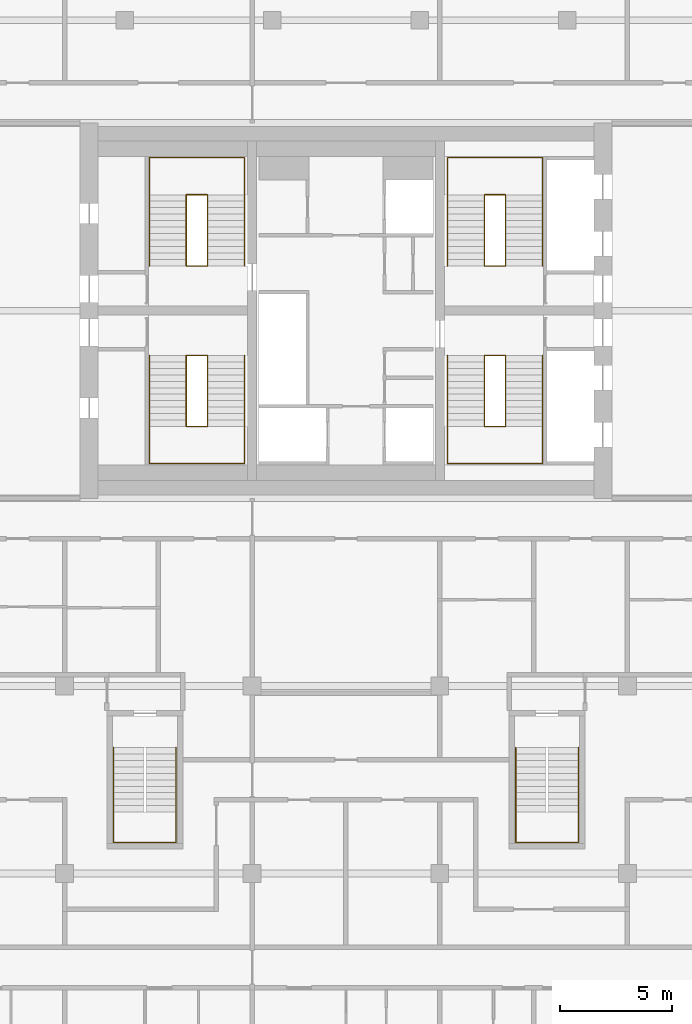
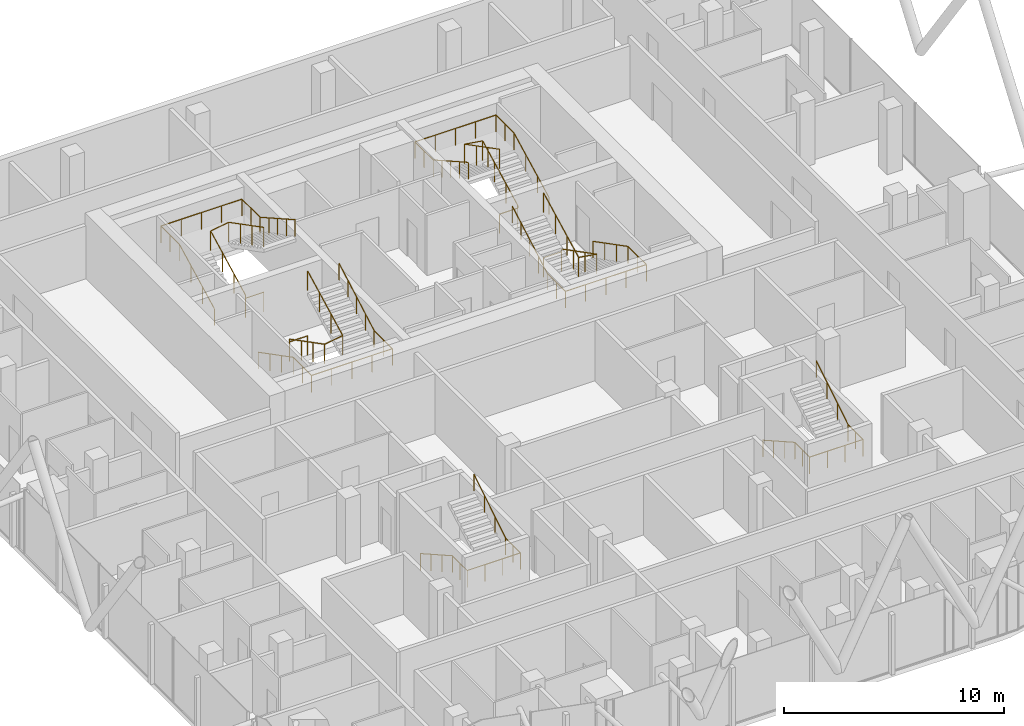
# One storey, part 31 of 31: 10 railings.
"""IFC4 building model written with IfcOpenShell, lengths in metres."""

from ifc_helpers import new_model, si_unit, direction, frame, origin, origin_2d, place, context, subcontext, project, spatial, circle, extrude, material, type_object, element, save


model = new_model("IFC4")

# Units and contexts
model_context = context("Model", 3, precision=1e-05, world=origin(), true_north=direction((0.0, 1.0)))
body_context = subcontext(model_context, "Body", "Model", "MODEL_VIEW")
ifc_project = project(units=[si_unit("LENGTHUNIT", "METRE"), si_unit("AREAUNIT", "SQUARE_METRE"), si_unit("VOLUMEUNIT", "CUBIC_METRE"), si_unit("PLANEANGLEUNIT", "RADIAN"), si_unit("MASSUNIT", "GRAM", prefix="KILO")], contexts=[model_context])

# Site, building, storey
site_placement = place(None, origin())
site = spatial("IfcSite", under=ifc_project, at=site_placement, CompositionType="ELEMENT")
building_placement = place(site_placement, origin())
building = spatial("IfcBuilding", under=site, at=building_placement, Name="Marenta Gate Hotel Tower", CompositionType="ELEMENT")
storey_placement = place(building_placement, frame((0.0, 0.0, 220.10009765625)))
storey = spatial("IfcBuildingStorey", under=building, at=storey_placement, Name="L51", CompositionType="ELEMENT", Elevation=220.10009765625)

# Railings
ifc_material_1 = material(Name="Stainless steel", Category="steel")
railing_type_1 = type_object("IfcRailingType", Name="Core stair handrail 950", PredefinedType="HANDRAIL", material=ifc_material_1)
railing_1_placement = place(storey_placement, frame((-8.800048828125, 6.39990234375, 0.14990234375)))
element("IfcRailing", 1, at=railing_1_placement, inside=storey, type_object=railing_type_1, Name="HR-950 L51-KR-ST1-1", PredefinedType="HANDRAIL", context=body_context, shape_type="SweptSolid", body=[
    extrude(circle(Radius=0.02392578125, at=origin_2d()), frame((0.0, 0.0, 0.92578125), z_axis=(0.0, -0.888225295554, 0.459408123936), x_axis=(1.0, 0.0, 0.0)), (0.0, 0.0, 1.0), 3.59130859375),
    extrude(circle(Radius=0.02392578125, at=origin_2d()), frame((0.0, -3.18994140625, 2.57568359375), z_axis=(0.0, -1.0, 0.0), x_axis=(1.0, 0.0, 0.0)), (0.0, 0.0, 1.0), 1.659912109375),
    extrude(circle(Radius=0.02392578125, at=origin_2d()), frame((0.0, -4.849853515625, 2.57568359375), z_axis=(1.0, 0.0, 0.0), x_axis=(0.0, 1.0, 0.0)), (0.0, 0.0, 1.0), 4.25),
    extrude(circle(Radius=0.02392578125, at=origin_2d()), frame((4.25, -4.849853515625, 2.57568359375), z_axis=(0.0, 1.0, 0.0), x_axis=(-1.0, 0.0, 0.0)), (0.0, 0.0, 1.0), 1.659912109375),
    extrude(circle(Radius=0.02392578125, at=origin_2d()), frame((4.25, -3.18994140625, 2.57568359375), z_axis=(0.0, 0.87090897868, 0.491444351738), x_axis=(-1.0, 0.0, 0.0)), (0.0, 0.0, 1.0), 3.662841796875),
    extrude(circle(Radius=0.02099609375, at=origin_2d()), origin(), (0.0, 0.0, 1.0), 0.90185546875),
    extrude(circle(Radius=0.02099609375, at=origin_2d()), frame((0.0, -1.063232421875, 0.550048828125)), (0.0, 0.0, 1.0), 0.90185546875),
    extrude(circle(Radius=0.02099609375, at=origin_2d()), frame((0.0, -2.126708984375, 1.099853515625)), (0.0, 0.0, 1.0), 0.90185546875),
    extrude(circle(Radius=0.02099609375, at=origin_2d()), frame((0.0, -3.18994140625, 1.64990234375)), (0.0, 0.0, 1.0), 0.90185546875),
    extrude(circle(Radius=0.02099609375, at=origin_2d()), frame((0.0, -4.02001953125, 1.64990234375)), (0.0, 0.0, 1.0), 0.90185546875),
    extrude(circle(Radius=0.02099609375, at=origin_2d()), frame((0.0, -4.849853515625, 1.64990234375)), (0.0, 0.0, 1.0), 0.90185546875),
    extrude(circle(Radius=0.02099609375, at=origin_2d()), frame((1.0625, -4.849853515625, 1.64990234375)), (0.0, 0.0, 1.0), 0.90185546875),
    extrude(circle(Radius=0.02099609375, at=origin_2d()), frame((2.125, -4.849853515625, 1.64990234375)), (0.0, 0.0, 1.0), 0.90185546875),
    extrude(circle(Radius=0.02099609375, at=origin_2d()), frame((3.1875, -4.849853515625, 1.64990234375)), (0.0, 0.0, 1.0), 0.90185546875),
    extrude(circle(Radius=0.02099609375, at=origin_2d()), frame((4.25, -4.849853515625, 1.64990234375)), (0.0, 0.0, 1.0), 0.90185546875),
    extrude(circle(Radius=0.02099609375, at=origin_2d()), frame((4.25, -4.02001953125, 1.64990234375)), (0.0, 0.0, 1.0), 0.90185546875),
    extrude(circle(Radius=0.02099609375, at=origin_2d()), frame((4.25, -3.18994140625, 1.64990234375)), (0.0, 0.0, 1.0), 0.90185546875),
    extrude(circle(Radius=0.02099609375, at=origin_2d()), frame((4.25, -2.392578125, 2.099853515625)), (0.0, 0.0, 1.0), 0.90185546875),
    extrude(circle(Radius=0.02099609375, at=origin_2d()), frame((4.25, -1.594970703125, 2.5498046875)), (0.0, 0.0, 1.0), 0.90185546875),
    extrude(circle(Radius=0.02099609375, at=origin_2d()), frame((4.25, -0.79736328125, 3.0)), (0.0, 0.0, 1.0), 0.90185546875),
    extrude(circle(Radius=0.02099609375, at=origin_2d()), frame((4.25, 0.0, 3.449951171875)), (0.0, 0.0, 1.0), 0.90185546875),
])
railing_2_placement = place(storey_placement, frame((-8.800048828125, 10.39990234375, 0.14990234375)))
element("IfcRailing", 2, at=railing_2_placement, inside=storey, type_object=railing_type_1, Name="HR-950 L51-KR-ST2-1", PredefinedType="HANDRAIL", context=body_context, shape_type="SweptSolid", body=[
    extrude(circle(Radius=0.02392578125, at=origin_2d()), frame((0.0, 0.0, 0.92578125), z_axis=(0.0, 0.888239641807, 0.459380385653), x_axis=(-1.0, 0.0, 0.0)), (0.0, 0.0, 1.0), 3.591552734375),
    extrude(circle(Radius=0.02392578125, at=origin_2d()), frame((0.0, 3.190185546875, 2.57568359375), z_axis=(0.0, 1.0, 0.0), x_axis=(-1.0, 0.0, 0.0)), (0.0, 0.0, 1.0), 1.659912109375),
    extrude(circle(Radius=0.02392578125, at=origin_2d()), frame((0.0, 4.85009765625, 2.57568359375), z_axis=(1.0, 0.0, 0.0), x_axis=(0.0, 1.0, 0.0)), (0.0, 0.0, 1.0), 4.25),
    extrude(circle(Radius=0.02392578125, at=origin_2d()), frame((4.25, 4.85009765625, 2.57568359375), z_axis=(0.0, -1.0, 0.0), x_axis=(1.0, 0.0, 0.0)), (0.0, 0.0, 1.0), 1.659912109375),
    extrude(circle(Radius=0.02392578125, at=origin_2d()), frame((4.25, 3.190185546875, 2.57568359375), z_axis=(0.0, -0.870925075533, 0.491415824742), x_axis=(1.0, 0.0, 0.0)), (0.0, 0.0, 1.0), 3.6630859375),
    extrude(circle(Radius=0.02099609375, at=origin_2d()), origin(), (0.0, 0.0, 1.0), 0.90185546875),
    extrude(circle(Radius=0.02099609375, at=origin_2d()), frame((0.0, 1.0634765625, 0.550048828125)), (0.0, 0.0, 1.0), 0.90185546875),
    extrude(circle(Radius=0.02099609375, at=origin_2d()), frame((0.0, 2.126708984375, 1.099853515625)), (0.0, 0.0, 1.0), 0.90185546875),
    extrude(circle(Radius=0.02099609375, at=origin_2d()), frame((0.0, 3.190185546875, 1.64990234375)), (0.0, 0.0, 1.0), 0.90185546875),
    extrude(circle(Radius=0.02099609375, at=origin_2d()), frame((0.0, 4.02001953125, 1.64990234375)), (0.0, 0.0, 1.0), 0.90185546875),
    extrude(circle(Radius=0.02099609375, at=origin_2d()), frame((0.0, 4.85009765625, 1.64990234375)), (0.0, 0.0, 1.0), 0.90185546875),
    extrude(circle(Radius=0.02099609375, at=origin_2d()), frame((1.0625, 4.85009765625, 1.64990234375)), (0.0, 0.0, 1.0), 0.90185546875),
    extrude(circle(Radius=0.02099609375, at=origin_2d()), frame((2.125, 4.85009765625, 1.64990234375)), (0.0, 0.0, 1.0), 0.90185546875),
    extrude(circle(Radius=0.02099609375, at=origin_2d()), frame((3.1875, 4.85009765625, 1.64990234375)), (0.0, 0.0, 1.0), 0.90185546875),
    extrude(circle(Radius=0.02099609375, at=origin_2d()), frame((4.25, 4.85009765625, 1.64990234375)), (0.0, 0.0, 1.0), 0.90185546875),
    extrude(circle(Radius=0.02099609375, at=origin_2d()), frame((4.25, 4.02001953125, 1.64990234375)), (0.0, 0.0, 1.0), 0.90185546875),
    extrude(circle(Radius=0.02099609375, at=origin_2d()), frame((4.25, 3.190185546875, 1.64990234375)), (0.0, 0.0, 1.0), 0.90185546875),
    extrude(circle(Radius=0.02099609375, at=origin_2d()), frame((4.25, 2.392578125, 2.099853515625)), (0.0, 0.0, 1.0), 0.90185546875),
    extrude(circle(Radius=0.02099609375, at=origin_2d()), frame((4.25, 1.59521484375, 2.5498046875)), (0.0, 0.0, 1.0), 0.90185546875),
    extrude(circle(Radius=0.02099609375, at=origin_2d()), frame((4.25, 0.797607421875, 3.0)), (0.0, 0.0, 1.0), 0.90185546875),
    extrude(circle(Radius=0.02099609375, at=origin_2d()), frame((4.25, 0.0, 3.449951171875)), (0.0, 0.0, 1.0), 0.90185546875),
])
railing_3_placement = place(storey_placement, frame((8.800048828125, 6.39990234375, 0.14990234375)))
element("IfcRailing", 3, at=railing_3_placement, inside=storey, type_object=railing_type_1, Name="HR-950 L51-KR-ST3-1", PredefinedType="HANDRAIL", context=body_context, shape_type="SweptSolid", body=[
    extrude(circle(Radius=0.02392578125, at=origin_2d()), frame((0.0, 0.0, 0.92578125), z_axis=(0.0, -0.888225295554, 0.459408123936), x_axis=(1.0, 0.0, 0.0)), (0.0, 0.0, 1.0), 3.59130859375),
    extrude(circle(Radius=0.02392578125, at=origin_2d()), frame((0.0, -3.18994140625, 2.57568359375), z_axis=(0.0, -1.0, 0.0), x_axis=(1.0, 0.0, 0.0)), (0.0, 0.0, 1.0), 1.659912109375),
    extrude(circle(Radius=0.02392578125, at=origin_2d()), frame((0.0, -4.849853515625, 2.57568359375), z_axis=(-1.0, 0.0, 0.0), x_axis=(0.0, -1.0, 0.0)), (0.0, 0.0, 1.0), 4.25),
    extrude(circle(Radius=0.02392578125, at=origin_2d()), frame((-4.25, -4.849853515625, 2.57568359375), z_axis=(0.0, 1.0, 0.0), x_axis=(-1.0, 0.0, 0.0)), (0.0, 0.0, 1.0), 1.659912109375),
    extrude(circle(Radius=0.02392578125, at=origin_2d()), frame((-4.25, -3.18994140625, 2.57568359375), z_axis=(0.0, 0.87090897868, 0.491444351738), x_axis=(-1.0, 0.0, 0.0)), (0.0, 0.0, 1.0), 3.662841796875),
    extrude(circle(Radius=0.02099609375, at=origin_2d()), origin(), (0.0, 0.0, 1.0), 0.90185546875),
    extrude(circle(Radius=0.02099609375, at=origin_2d()), frame((0.0, -1.063232421875, 0.550048828125)), (0.0, 0.0, 1.0), 0.90185546875),
    extrude(circle(Radius=0.02099609375, at=origin_2d()), frame((0.0, -2.126708984375, 1.099853515625)), (0.0, 0.0, 1.0), 0.90185546875),
    extrude(circle(Radius=0.02099609375, at=origin_2d()), frame((0.0, -3.18994140625, 1.64990234375)), (0.0, 0.0, 1.0), 0.90185546875),
    extrude(circle(Radius=0.02099609375, at=origin_2d()), frame((0.0, -4.02001953125, 1.64990234375)), (0.0, 0.0, 1.0), 0.90185546875),
    extrude(circle(Radius=0.02099609375, at=origin_2d()), frame((0.0, -4.849853515625, 1.64990234375)), (0.0, 0.0, 1.0), 0.90185546875),
    extrude(circle(Radius=0.02099609375, at=origin_2d()), frame((-1.0625, -4.849853515625, 1.64990234375)), (0.0, 0.0, 1.0), 0.90185546875),
    extrude(circle(Radius=0.02099609375, at=origin_2d()), frame((-2.125, -4.849853515625, 1.64990234375)), (0.0, 0.0, 1.0), 0.90185546875),
    extrude(circle(Radius=0.02099609375, at=origin_2d()), frame((-3.1875, -4.849853515625, 1.64990234375)), (0.0, 0.0, 1.0), 0.90185546875),
    extrude(circle(Radius=0.02099609375, at=origin_2d()), frame((-4.25, -4.849853515625, 1.64990234375)), (0.0, 0.0, 1.0), 0.90185546875),
    extrude(circle(Radius=0.02099609375, at=origin_2d()), frame((-4.25, -4.02001953125, 1.64990234375)), (0.0, 0.0, 1.0), 0.90185546875),
    extrude(circle(Radius=0.02099609375, at=origin_2d()), frame((-4.25, -3.18994140625, 1.64990234375)), (0.0, 0.0, 1.0), 0.90185546875),
    extrude(circle(Radius=0.02099609375, at=origin_2d()), frame((-4.25, -2.392578125, 2.099853515625)), (0.0, 0.0, 1.0), 0.90185546875),
    extrude(circle(Radius=0.02099609375, at=origin_2d()), frame((-4.25, -1.594970703125, 2.5498046875)), (0.0, 0.0, 1.0), 0.90185546875),
    extrude(circle(Radius=0.02099609375, at=origin_2d()), frame((-4.25, -0.79736328125, 3.0)), (0.0, 0.0, 1.0), 0.90185546875),
    extrude(circle(Radius=0.02099609375, at=origin_2d()), frame((-4.25, 0.0, 3.449951171875)), (0.0, 0.0, 1.0), 0.90185546875),
])
railing_4_placement = place(storey_placement, frame((8.800048828125, 10.39990234375, 0.14990234375)))
element("IfcRailing", 4, at=railing_4_placement, inside=storey, type_object=railing_type_1, Name="HR-950 L51-KR-ST4-1", PredefinedType="HANDRAIL", context=body_context, shape_type="SweptSolid", body=[
    extrude(circle(Radius=0.02392578125, at=origin_2d()), frame((0.0, 0.0, 0.92578125), z_axis=(0.0, 0.888239641807, 0.459380385653), x_axis=(-1.0, 0.0, 0.0)), (0.0, 0.0, 1.0), 3.591552734375),
    extrude(circle(Radius=0.02392578125, at=origin_2d()), frame((0.0, 3.190185546875, 2.57568359375), z_axis=(0.0, 1.0, 0.0), x_axis=(-1.0, 0.0, 0.0)), (0.0, 0.0, 1.0), 1.659912109375),
    extrude(circle(Radius=0.02392578125, at=origin_2d()), frame((0.0, 4.85009765625, 2.57568359375), z_axis=(-1.0, 0.0, 0.0), x_axis=(0.0, -1.0, 0.0)), (0.0, 0.0, 1.0), 4.25),
    extrude(circle(Radius=0.02392578125, at=origin_2d()), frame((-4.25, 4.85009765625, 2.57568359375), z_axis=(0.0, -1.0, 0.0), x_axis=(1.0, 0.0, 0.0)), (0.0, 0.0, 1.0), 1.659912109375),
    extrude(circle(Radius=0.02392578125, at=origin_2d()), frame((-4.25, 3.190185546875, 2.57568359375), z_axis=(0.0, -0.870925075533, 0.491415824742), x_axis=(1.0, 0.0, 0.0)), (0.0, 0.0, 1.0), 3.6630859375),
    extrude(circle(Radius=0.02099609375, at=origin_2d()), origin(), (0.0, 0.0, 1.0), 0.90185546875),
    extrude(circle(Radius=0.02099609375, at=origin_2d()), frame((0.0, 1.0634765625, 0.550048828125)), (0.0, 0.0, 1.0), 0.90185546875),
    extrude(circle(Radius=0.02099609375, at=origin_2d()), frame((0.0, 2.126708984375, 1.099853515625)), (0.0, 0.0, 1.0), 0.90185546875),
    extrude(circle(Radius=0.02099609375, at=origin_2d()), frame((0.0, 3.190185546875, 1.64990234375)), (0.0, 0.0, 1.0), 0.90185546875),
    extrude(circle(Radius=0.02099609375, at=origin_2d()), frame((0.0, 4.02001953125, 1.64990234375)), (0.0, 0.0, 1.0), 0.90185546875),
    extrude(circle(Radius=0.02099609375, at=origin_2d()), frame((0.0, 4.85009765625, 1.64990234375)), (0.0, 0.0, 1.0), 0.90185546875),
    extrude(circle(Radius=0.02099609375, at=origin_2d()), frame((-1.0625, 4.85009765625, 1.64990234375)), (0.0, 0.0, 1.0), 0.90185546875),
    extrude(circle(Radius=0.02099609375, at=origin_2d()), frame((-2.125, 4.85009765625, 1.64990234375)), (0.0, 0.0, 1.0), 0.90185546875),
    extrude(circle(Radius=0.02099609375, at=origin_2d()), frame((-3.1875, 4.85009765625, 1.64990234375)), (0.0, 0.0, 1.0), 0.90185546875),
    extrude(circle(Radius=0.02099609375, at=origin_2d()), frame((-4.25, 4.85009765625, 1.64990234375)), (0.0, 0.0, 1.0), 0.90185546875),
    extrude(circle(Radius=0.02099609375, at=origin_2d()), frame((-4.25, 4.02001953125, 1.64990234375)), (0.0, 0.0, 1.0), 0.90185546875),
    extrude(circle(Radius=0.02099609375, at=origin_2d()), frame((-4.25, 3.190185546875, 1.64990234375)), (0.0, 0.0, 1.0), 0.90185546875),
    extrude(circle(Radius=0.02099609375, at=origin_2d()), frame((-4.25, 2.392578125, 2.099853515625)), (0.0, 0.0, 1.0), 0.90185546875),
    extrude(circle(Radius=0.02099609375, at=origin_2d()), frame((-4.25, 1.59521484375, 2.5498046875)), (0.0, 0.0, 1.0), 0.90185546875),
    extrude(circle(Radius=0.02099609375, at=origin_2d()), frame((-4.25, 0.797607421875, 3.0)), (0.0, 0.0, 1.0), 0.90185546875),
    extrude(circle(Radius=0.02099609375, at=origin_2d()), frame((-4.25, 0.0, 3.449951171875)), (0.0, 0.0, 1.0), 0.90185546875),
])
railing_5_placement = place(storey_placement, frame((-10.39990234375, -11.14990234375, 0.16357421875)))
element("IfcRailing", 5, at=railing_5_placement, inside=storey, type_object=railing_type_1, Name="HR-950 L51-RS-Z3-1-KR-1", PredefinedType="HANDRAIL", context=body_context, shape_type="SweptSolid", body=[
    extrude(circle(Radius=0.02392578125, at=origin_2d()), frame((0.0, 0.0, 0.92578125), z_axis=(0.0, -0.870946286338, 0.49137823142), x_axis=(1.0, 0.0, 0.0)), (0.0, 0.0, 1.0), 3.329833984375),
    extrude(circle(Radius=0.02392578125, at=origin_2d()), frame((0.0, -2.900146484375, 2.56201171875), z_axis=(0.0, -1.0, 0.0), x_axis=(1.0, 0.0, 0.0)), (0.0, 0.0, 1.0), 1.349853515625),
    extrude(circle(Radius=0.02392578125, at=origin_2d()), frame((0.0, -4.25, 2.56201171875), z_axis=(1.0, 0.0, 0.0), x_axis=(0.0, 1.0, 0.0)), (0.0, 0.0, 1.0), 2.7998046875),
    extrude(circle(Radius=0.02392578125, at=origin_2d()), frame((2.7998046875, -4.25, 2.56201171875), z_axis=(0.0, 1.0, 0.0), x_axis=(-1.0, 0.0, 0.0)), (0.0, 0.0, 1.0), 1.349853515625),
    extrude(circle(Radius=0.02392578125, at=origin_2d()), frame((2.7998046875, -2.900146484375, 2.56201171875), z_axis=(0.0, 0.849645691689, 0.527353959494), x_axis=(-1.0, 0.0, 0.0)), (0.0, 0.0, 1.0), 3.413330078125),
    extrude(circle(Radius=0.02099609375, at=origin_2d()), origin(), (0.0, 0.0, 1.0), 0.90185546875),
    extrude(circle(Radius=0.02099609375, at=origin_2d()), frame((0.0, -0.966796875, 0.54541015625)), (0.0, 0.0, 1.0), 0.90185546875),
    extrude(circle(Radius=0.02099609375, at=origin_2d()), frame((0.0, -1.933349609375, 1.0908203125)), (0.0, 0.0, 1.0), 0.90185546875),
    extrude(circle(Radius=0.02099609375, at=origin_2d()), frame((0.0, -2.900146484375, 1.63623046875)), (0.0, 0.0, 1.0), 0.90185546875),
    extrude(circle(Radius=0.02099609375, at=origin_2d()), frame((0.0, -3.5751953125, 1.63623046875)), (0.0, 0.0, 1.0), 0.90185546875),
    extrude(circle(Radius=0.02099609375, at=origin_2d()), frame((0.0, -4.25, 1.63623046875)), (0.0, 0.0, 1.0), 0.90185546875),
    extrude(circle(Radius=0.02099609375, at=origin_2d()), frame((0.933349609375, -4.25, 1.63623046875)), (0.0, 0.0, 1.0), 0.90185546875),
    extrude(circle(Radius=0.02099609375, at=origin_2d()), frame((1.866455078125, -4.25, 1.63623046875)), (0.0, 0.0, 1.0), 0.90185546875),
    extrude(circle(Radius=0.02099609375, at=origin_2d()), frame((2.7998046875, -4.25, 1.63623046875)), (0.0, 0.0, 1.0), 0.90185546875),
    extrude(circle(Radius=0.02099609375, at=origin_2d()), frame((2.7998046875, -3.5751953125, 1.63623046875)), (0.0, 0.0, 1.0), 0.90185546875),
    extrude(circle(Radius=0.02099609375, at=origin_2d()), frame((2.7998046875, -2.900146484375, 1.63623046875)), (0.0, 0.0, 1.0), 0.90185546875),
    extrude(circle(Radius=0.02099609375, at=origin_2d()), frame((2.7998046875, -1.933349609375, 2.236328125)), (0.0, 0.0, 1.0), 0.90185546875),
    extrude(circle(Radius=0.02099609375, at=origin_2d()), frame((2.7998046875, -0.966796875, 2.836181640625)), (0.0, 0.0, 1.0), 0.90185546875),
    extrude(circle(Radius=0.02099609375, at=origin_2d()), frame((2.7998046875, 0.0, 3.436279296875)), (0.0, 0.0, 1.0), 0.90185546875),
])
railing_6_placement = place(storey_placement, frame((7.60009765625, -11.14990234375, 0.16357421875)))
element("IfcRailing", 6, at=railing_6_placement, inside=storey, type_object=railing_type_1, Name="HR-950 L51-RS-Z3-2-KR-1", PredefinedType="HANDRAIL", context=body_context, shape_type="SweptSolid", body=[
    extrude(circle(Radius=0.02392578125, at=origin_2d()), frame((0.0, 0.0, 0.92578125), z_axis=(0.0, -0.870946286338, 0.49137823142), x_axis=(1.0, 0.0, 0.0)), (0.0, 0.0, 1.0), 3.329833984375),
    extrude(circle(Radius=0.02392578125, at=origin_2d()), frame((0.0, -2.900146484375, 2.56201171875), z_axis=(0.0, -1.0, 0.0), x_axis=(1.0, 0.0, 0.0)), (0.0, 0.0, 1.0), 1.349853515625),
    extrude(circle(Radius=0.02392578125, at=origin_2d()), frame((0.0, -4.25, 2.56201171875), z_axis=(1.0, 0.0, 0.0), x_axis=(0.0, 1.0, 0.0)), (0.0, 0.0, 1.0), 2.7998046875),
    extrude(circle(Radius=0.02392578125, at=origin_2d()), frame((2.7998046875, -4.25, 2.56201171875), z_axis=(0.0, 1.0, 0.0), x_axis=(-1.0, 0.0, 0.0)), (0.0, 0.0, 1.0), 1.349853515625),
    extrude(circle(Radius=0.02392578125, at=origin_2d()), frame((2.7998046875, -2.900146484375, 2.56201171875), z_axis=(0.0, 0.849645691689, 0.527353959494), x_axis=(-1.0, 0.0, 0.0)), (0.0, 0.0, 1.0), 3.413330078125),
    extrude(circle(Radius=0.02099609375, at=origin_2d()), origin(), (0.0, 0.0, 1.0), 0.90185546875),
    extrude(circle(Radius=0.02099609375, at=origin_2d()), frame((0.0, -0.966796875, 0.54541015625)), (0.0, 0.0, 1.0), 0.90185546875),
    extrude(circle(Radius=0.02099609375, at=origin_2d()), frame((0.0, -1.933349609375, 1.0908203125)), (0.0, 0.0, 1.0), 0.90185546875),
    extrude(circle(Radius=0.02099609375, at=origin_2d()), frame((0.0, -2.900146484375, 1.63623046875)), (0.0, 0.0, 1.0), 0.90185546875),
    extrude(circle(Radius=0.02099609375, at=origin_2d()), frame((0.0, -3.5751953125, 1.63623046875)), (0.0, 0.0, 1.0), 0.90185546875),
    extrude(circle(Radius=0.02099609375, at=origin_2d()), frame((0.0, -4.25, 1.63623046875)), (0.0, 0.0, 1.0), 0.90185546875),
    extrude(circle(Radius=0.02099609375, at=origin_2d()), frame((0.933349609375, -4.25, 1.63623046875)), (0.0, 0.0, 1.0), 0.90185546875),
    extrude(circle(Radius=0.02099609375, at=origin_2d()), frame((1.866455078125, -4.25, 1.63623046875)), (0.0, 0.0, 1.0), 0.90185546875),
    extrude(circle(Radius=0.02099609375, at=origin_2d()), frame((2.7998046875, -4.25, 1.63623046875)), (0.0, 0.0, 1.0), 0.90185546875),
    extrude(circle(Radius=0.02099609375, at=origin_2d()), frame((2.7998046875, -3.5751953125, 1.63623046875)), (0.0, 0.0, 1.0), 0.90185546875),
    extrude(circle(Radius=0.02099609375, at=origin_2d()), frame((2.7998046875, -2.900146484375, 1.63623046875)), (0.0, 0.0, 1.0), 0.90185546875),
    extrude(circle(Radius=0.02099609375, at=origin_2d()), frame((2.7998046875, -1.933349609375, 2.236328125)), (0.0, 0.0, 1.0), 0.90185546875),
    extrude(circle(Radius=0.02099609375, at=origin_2d()), frame((2.7998046875, -0.966796875, 2.836181640625)), (0.0, 0.0, 1.0), 0.90185546875),
    extrude(circle(Radius=0.02099609375, at=origin_2d()), frame((2.7998046875, 0.0, 3.436279296875)), (0.0, 0.0, 1.0), 0.90185546875),
])
ifc_material_2 = material(Name="Stainless steel", Category="steel")
railing_type_2 = type_object("IfcRailingType", Name="Core stair well guard 1100", PredefinedType="GUARDRAIL", material=ifc_material_2)
railing_7_placement = place(storey_placement, frame((-6.199951171875, 6.39990234375, 0.0)))
element("IfcRailing", 7, at=railing_7_placement, inside=storey, type_object=railing_type_2, Name="GR-1100 L51-KR-ST1-2", PredefinedType="GUARDRAIL", context=body_context, shape_type="SweptSolid", body=[
    extrude(circle(Radius=0.02392578125, at=origin_2d()), frame((0.0, 0.0, 1.076171875), z_axis=(-1.0, 0.0, 0.0), x_axis=(0.0, -1.0, 0.0)), (0.0, 0.0, 1.0), 0.949951171875),
    extrude(circle(Radius=0.02392578125, at=origin_2d()), frame((-0.949951171875, 0.0, 1.076171875), z_axis=(0.0, 0.0, 1.0), x_axis=(1.0, 0.0, 0.0)), (0.0, 0.0, 1.0), 0.14990234375),
    extrude(circle(Radius=0.02392578125, at=origin_2d()), frame((-0.949951171875, 0.0, 1.22607421875), z_axis=(0.0, -0.888225295554, 0.459408123936), x_axis=(1.0, 0.0, 0.0)), (0.0, 0.0, 1.0), 3.59130859375),
    extrude(circle(Radius=0.02392578125, at=origin_2d()), frame((-0.949951171875, -3.18994140625, 2.8759765625), z_axis=(0.987738253826, 0.0, 0.156118999255), x_axis=(0.0, 1.0, 0.0)), (0.0, 0.0, 1.0), 0.961669921875),
    extrude(circle(Radius=0.02392578125, at=origin_2d()), frame((0.0, -3.18994140625, 3.02587890625), z_axis=(0.0, 0.888225295554, 0.459408123936), x_axis=(-1.0, 0.0, 0.0)), (0.0, 0.0, 1.0), 3.59130859375),
    extrude(circle(Radius=0.02099609375, at=origin_2d()), origin(), (0.0, 0.0, 1.0), 1.052001953125),
    extrude(circle(Radius=0.02099609375, at=origin_2d()), frame((-0.949951171875, 0.0, 0.0)), (0.0, 0.0, 1.0), 1.052001953125),
    extrude(circle(Radius=0.02099609375, at=origin_2d()), frame((-0.949951171875, 0.0, 0.14990234375)), (0.0, 0.0, 1.0), 1.052001953125),
    extrude(circle(Radius=0.02099609375, at=origin_2d()), frame((-0.949951171875, -1.063232421875, 0.699951171875)), (0.0, 0.0, 1.0), 1.052001953125),
    extrude(circle(Radius=0.02099609375, at=origin_2d()), frame((-0.949951171875, -2.126708984375, 1.249755859375)), (0.0, 0.0, 1.0), 1.052001953125),
    extrude(circle(Radius=0.02099609375, at=origin_2d()), frame((-0.949951171875, -3.18994140625, 1.7998046875)), (0.0, 0.0, 1.0), 1.052001953125),
    extrude(circle(Radius=0.02099609375, at=origin_2d()), frame((0.0, -3.18994140625, 1.949951171875)), (0.0, 0.0, 1.0), 1.052001953125),
    extrude(circle(Radius=0.02099609375, at=origin_2d()), frame((0.0, -2.126708984375, 2.5)), (0.0, 0.0, 1.0), 1.052001953125),
    extrude(circle(Radius=0.02099609375, at=origin_2d()), frame((0.0, -1.063232421875, 3.0498046875)), (0.0, 0.0, 1.0), 1.052001953125),
    extrude(circle(Radius=0.02099609375, at=origin_2d()), frame((0.0, 0.0, 3.599853515625)), (0.0, 0.0, 1.0), 1.052001953125),
])
railing_8_placement = place(storey_placement, frame((-6.199951171875, 10.39990234375, 0.0)))
element("IfcRailing", 8, at=railing_8_placement, inside=storey, type_object=railing_type_2, Name="GR-1100 L51-KR-ST2-2", PredefinedType="GUARDRAIL", context=body_context, shape_type="SweptSolid", body=[
    extrude(circle(Radius=0.02392578125, at=origin_2d()), frame((0.0, 0.0, 1.076171875), z_axis=(-1.0, 0.0, 0.0), x_axis=(0.0, -1.0, 0.0)), (0.0, 0.0, 1.0), 0.949951171875),
    extrude(circle(Radius=0.02392578125, at=origin_2d()), frame((-0.949951171875, 0.0, 1.076171875), z_axis=(0.0, 0.0, 1.0), x_axis=(1.0, 0.0, 0.0)), (0.0, 0.0, 1.0), 0.14990234375),
    extrude(circle(Radius=0.02392578125, at=origin_2d()), frame((-0.949951171875, 0.0, 1.22607421875), z_axis=(0.0, 0.888239641807, 0.459380385653), x_axis=(-1.0, 0.0, 0.0)), (0.0, 0.0, 1.0), 3.591552734375),
    extrude(circle(Radius=0.02392578125, at=origin_2d()), frame((-0.949951171875, 3.190185546875, 2.8759765625), z_axis=(0.987738253826, 0.0, 0.156118999255), x_axis=(0.0, 1.0, 0.0)), (0.0, 0.0, 1.0), 0.961669921875),
    extrude(circle(Radius=0.02392578125, at=origin_2d()), frame((0.0, 3.190185546875, 3.02587890625), z_axis=(0.0, -0.888239641807, 0.459380385653), x_axis=(1.0, 0.0, 0.0)), (0.0, 0.0, 1.0), 3.591552734375),
    extrude(circle(Radius=0.02099609375, at=origin_2d()), origin(), (0.0, 0.0, 1.0), 1.052001953125),
    extrude(circle(Radius=0.02099609375, at=origin_2d()), frame((-0.949951171875, 0.0, 0.0)), (0.0, 0.0, 1.0), 1.052001953125),
    extrude(circle(Radius=0.02099609375, at=origin_2d()), frame((-0.949951171875, 0.0, 0.14990234375)), (0.0, 0.0, 1.0), 1.052001953125),
    extrude(circle(Radius=0.02099609375, at=origin_2d()), frame((-0.949951171875, 1.0634765625, 0.699951171875)), (0.0, 0.0, 1.0), 1.052001953125),
    extrude(circle(Radius=0.02099609375, at=origin_2d()), frame((-0.949951171875, 2.126708984375, 1.249755859375)), (0.0, 0.0, 1.0), 1.052001953125),
    extrude(circle(Radius=0.02099609375, at=origin_2d()), frame((-0.949951171875, 3.190185546875, 1.7998046875)), (0.0, 0.0, 1.0), 1.052001953125),
    extrude(circle(Radius=0.02099609375, at=origin_2d()), frame((0.0, 3.190185546875, 1.949951171875)), (0.0, 0.0, 1.0), 1.052001953125),
    extrude(circle(Radius=0.02099609375, at=origin_2d()), frame((0.0, 2.126708984375, 2.5)), (0.0, 0.0, 1.0), 1.052001953125),
    extrude(circle(Radius=0.02099609375, at=origin_2d()), frame((0.0, 1.0634765625, 3.0498046875)), (0.0, 0.0, 1.0), 1.052001953125),
    extrude(circle(Radius=0.02099609375, at=origin_2d()), frame((0.0, 0.0, 3.599853515625)), (0.0, 0.0, 1.0), 1.052001953125),
])
railing_9_placement = place(storey_placement, frame((6.199951171875, 6.39990234375, 0.0)))
element("IfcRailing", 9, at=railing_9_placement, inside=storey, type_object=railing_type_2, Name="GR-1100 L51-KR-ST3-2", PredefinedType="GUARDRAIL", context=body_context, shape_type="SweptSolid", body=[
    extrude(circle(Radius=0.02392578125, at=origin_2d()), frame((0.0, 0.0, 1.076171875), z_axis=(1.0, 0.0, 0.0), x_axis=(0.0, 1.0, 0.0)), (0.0, 0.0, 1.0), 0.949951171875),
    extrude(circle(Radius=0.02392578125, at=origin_2d()), frame((0.949951171875, 0.0, 1.076171875), z_axis=(0.0, 0.0, 1.0), x_axis=(1.0, 0.0, 0.0)), (0.0, 0.0, 1.0), 0.14990234375),
    extrude(circle(Radius=0.02392578125, at=origin_2d()), frame((0.949951171875, 0.0, 1.22607421875), z_axis=(0.0, -0.888225295554, 0.459408123936), x_axis=(1.0, 0.0, 0.0)), (0.0, 0.0, 1.0), 3.59130859375),
    extrude(circle(Radius=0.02392578125, at=origin_2d()), frame((0.949951171875, -3.18994140625, 2.8759765625), z_axis=(-0.987738253826, 0.0, 0.156118999255), x_axis=(0.0, -1.0, 0.0)), (0.0, 0.0, 1.0), 0.961669921875),
    extrude(circle(Radius=0.02392578125, at=origin_2d()), frame((0.0, -3.18994140625, 3.02587890625), z_axis=(0.0, 0.888225295554, 0.459408123936), x_axis=(-1.0, 0.0, 0.0)), (0.0, 0.0, 1.0), 3.59130859375),
    extrude(circle(Radius=0.02099609375, at=origin_2d()), origin(), (0.0, 0.0, 1.0), 1.052001953125),
    extrude(circle(Radius=0.02099609375, at=origin_2d()), frame((0.949951171875, 0.0, 0.0)), (0.0, 0.0, 1.0), 1.052001953125),
    extrude(circle(Radius=0.02099609375, at=origin_2d()), frame((0.949951171875, 0.0, 0.14990234375)), (0.0, 0.0, 1.0), 1.052001953125),
    extrude(circle(Radius=0.02099609375, at=origin_2d()), frame((0.949951171875, -1.063232421875, 0.699951171875)), (0.0, 0.0, 1.0), 1.052001953125),
    extrude(circle(Radius=0.02099609375, at=origin_2d()), frame((0.949951171875, -2.126708984375, 1.249755859375)), (0.0, 0.0, 1.0), 1.052001953125),
    extrude(circle(Radius=0.02099609375, at=origin_2d()), frame((0.949951171875, -3.18994140625, 1.7998046875)), (0.0, 0.0, 1.0), 1.052001953125),
    extrude(circle(Radius=0.02099609375, at=origin_2d()), frame((0.0, -3.18994140625, 1.949951171875)), (0.0, 0.0, 1.0), 1.052001953125),
    extrude(circle(Radius=0.02099609375, at=origin_2d()), frame((0.0, -2.126708984375, 2.5)), (0.0, 0.0, 1.0), 1.052001953125),
    extrude(circle(Radius=0.02099609375, at=origin_2d()), frame((0.0, -1.063232421875, 3.0498046875)), (0.0, 0.0, 1.0), 1.052001953125),
    extrude(circle(Radius=0.02099609375, at=origin_2d()), frame((0.0, 0.0, 3.599853515625)), (0.0, 0.0, 1.0), 1.052001953125),
])
railing_10_placement = place(storey_placement, frame((6.199951171875, 10.39990234375, 0.0)))
element("IfcRailing", 10, at=railing_10_placement, inside=storey, type_object=railing_type_2, Name="GR-1100 L51-KR-ST4-2", PredefinedType="GUARDRAIL", context=body_context, shape_type="SweptSolid", body=[
    extrude(circle(Radius=0.02392578125, at=origin_2d()), frame((0.0, 0.0, 1.076171875), z_axis=(1.0, 0.0, 0.0), x_axis=(0.0, 1.0, 0.0)), (0.0, 0.0, 1.0), 0.949951171875),
    extrude(circle(Radius=0.02392578125, at=origin_2d()), frame((0.949951171875, 0.0, 1.076171875), z_axis=(0.0, 0.0, 1.0), x_axis=(1.0, 0.0, 0.0)), (0.0, 0.0, 1.0), 0.14990234375),
    extrude(circle(Radius=0.02392578125, at=origin_2d()), frame((0.949951171875, 0.0, 1.22607421875), z_axis=(0.0, 0.888239641807, 0.459380385653), x_axis=(-1.0, 0.0, 0.0)), (0.0, 0.0, 1.0), 3.591552734375),
    extrude(circle(Radius=0.02392578125, at=origin_2d()), frame((0.949951171875, 3.190185546875, 2.8759765625), z_axis=(-0.987738253826, 0.0, 0.156118999255), x_axis=(0.0, -1.0, 0.0)), (0.0, 0.0, 1.0), 0.961669921875),
    extrude(circle(Radius=0.02392578125, at=origin_2d()), frame((0.0, 3.190185546875, 3.02587890625), z_axis=(0.0, -0.888239641807, 0.459380385653), x_axis=(1.0, 0.0, 0.0)), (0.0, 0.0, 1.0), 3.591552734375),
    extrude(circle(Radius=0.02099609375, at=origin_2d()), origin(), (0.0, 0.0, 1.0), 1.052001953125),
    extrude(circle(Radius=0.02099609375, at=origin_2d()), frame((0.949951171875, 0.0, 0.0)), (0.0, 0.0, 1.0), 1.052001953125),
    extrude(circle(Radius=0.02099609375, at=origin_2d()), frame((0.949951171875, 0.0, 0.14990234375)), (0.0, 0.0, 1.0), 1.052001953125),
    extrude(circle(Radius=0.02099609375, at=origin_2d()), frame((0.949951171875, 1.0634765625, 0.699951171875)), (0.0, 0.0, 1.0), 1.052001953125),
    extrude(circle(Radius=0.02099609375, at=origin_2d()), frame((0.949951171875, 2.126708984375, 1.249755859375)), (0.0, 0.0, 1.0), 1.052001953125),
    extrude(circle(Radius=0.02099609375, at=origin_2d()), frame((0.949951171875, 3.190185546875, 1.7998046875)), (0.0, 0.0, 1.0), 1.052001953125),
    extrude(circle(Radius=0.02099609375, at=origin_2d()), frame((0.0, 3.190185546875, 1.949951171875)), (0.0, 0.0, 1.0), 1.052001953125),
    extrude(circle(Radius=0.02099609375, at=origin_2d()), frame((0.0, 2.126708984375, 2.5)), (0.0, 0.0, 1.0), 1.052001953125),
    extrude(circle(Radius=0.02099609375, at=origin_2d()), frame((0.0, 1.0634765625, 3.0498046875)), (0.0, 0.0, 1.0), 1.052001953125),
    extrude(circle(Radius=0.02099609375, at=origin_2d()), frame((0.0, 0.0, 3.599853515625)), (0.0, 0.0, 1.0), 1.052001953125),
])

save(model, "model.ifc")
